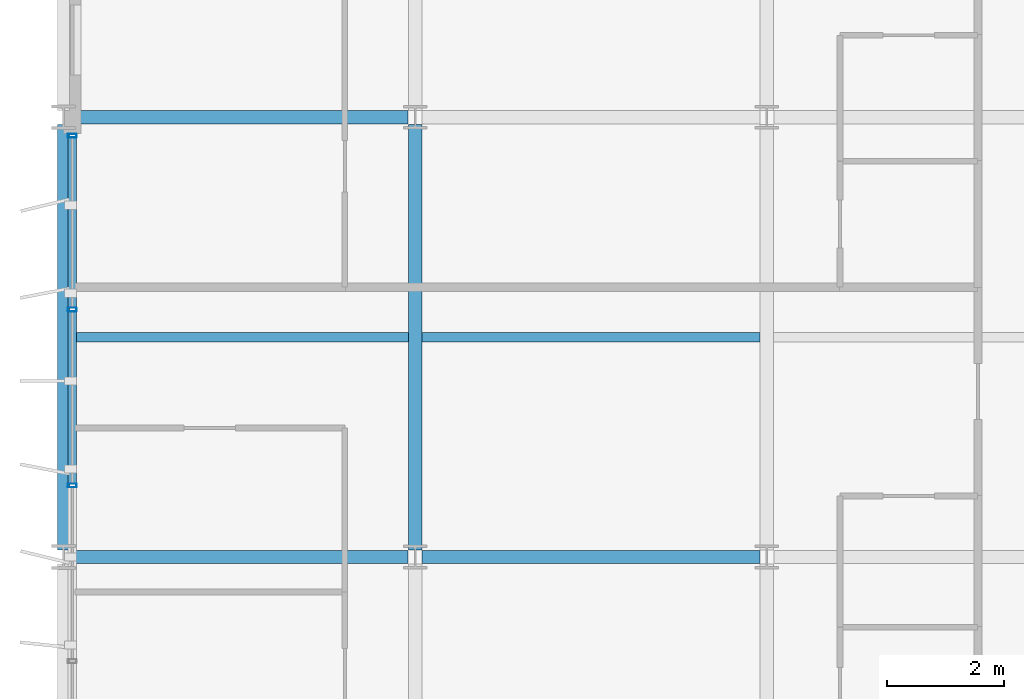
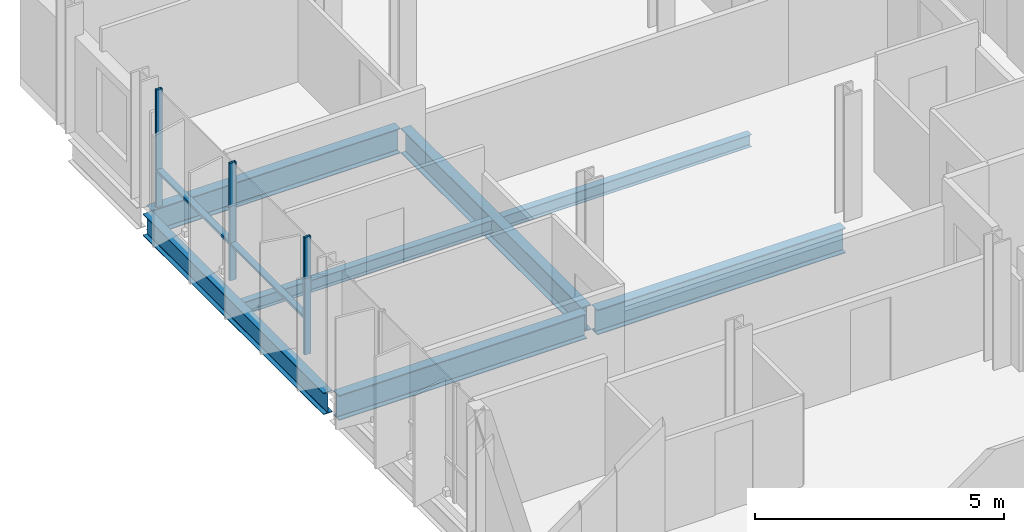
# One storey, part 7 of 38: 7 beams, 5 members, 1 element without a shape of its own.
"""IFC4 building model written with IfcOpenShell, lengths in metres."""

from ifc_helpers import new_model, si_unit, direction, frame, origin, origin_2d, place, context, subcontext, project, spatial, hollow_rectangle, i_section, extrude, material, layer, layer_set, material_profile, profile_set, type_object, element, aggregate, save


model = new_model("IFC4")

# Units and contexts
model_context = context("Model", 3, precision=1e-05, world=origin(), true_north=direction((0.0, 1.0)))
body_context = subcontext(model_context, "Body", "Model", "MODEL_VIEW")
ifc_project = project(units=[si_unit("LENGTHUNIT", "METRE"), si_unit("AREAUNIT", "SQUARE_METRE"), si_unit("VOLUMEUNIT", "CUBIC_METRE"), si_unit("PLANEANGLEUNIT", "RADIAN"), si_unit("MASSUNIT", "GRAM", prefix="KILO")], contexts=[model_context])

# Site, building, storey
site_placement = place(None, origin())
site = spatial("IfcSite", under=ifc_project, at=site_placement, CompositionType="ELEMENT")
building_placement = place(site_placement, origin())
building = spatial("IfcBuilding", under=site, at=building_placement, Name="Brevholm Reach", CompositionType="ELEMENT")
storey_placement = place(building_placement, frame((0.0, 0.0, 166.60009765625)))
storey = spatial("IfcBuildingStorey", under=building, at=storey_placement, Name="L50", CompositionType="ELEMENT", Elevation=166.60009765625)

# Beams
ifc_material_1 = material(Name="Structural Steel S355J2", Category="steel")
ifc_material_profile_1 = material_profile(ifc_material_1, i_section(OverallWidth=0.1650390625, OverallDepth=0.303466796875, WebThickness=0.006103515625, FlangeThickness=0.01025390625, FilletRadius=0.0087890625, at=origin_2d()), Name="UKB 305x165x40")
ifc_profile_set_1 = profile_set([ifc_material_profile_1], Name="Structural Steel S355J2")
beam_type_1 = type_object("IfcBeamType", Name="BM-B305", PredefinedType="BEAM", material=ifc_profile_set_1)
beam_1_placement = place(storey_placement, frame((0.104736328125, 19.75, -0.371826171875), z_axis=(1.0, 0.0, 0.0), x_axis=(0.0, 1.0, 0.0)))
element("IfcBeam", 1, at=beam_1_placement, inside=storey, type_object=beam_type_1, Name="L50 Composite Secondary Floor Beam", PredefinedType="BEAM", context=body_context, shape_type="SweptSolid", body=[
    extrude(i_section(OverallWidth=0.1650390625, OverallDepth=0.303466796875, WebThickness=0.006103515625, FlangeThickness=0.01025390625, FilletRadius=0.0087890625, at=origin_2d()), origin(), (0.0, 0.0, 1.0), 5.78076171875),
])
beam_2_placement = place(storey_placement, frame((6.114501953125, 19.75, -0.371826171875), z_axis=(1.0, 0.0, 0.0), x_axis=(0.0, 1.0, 0.0)))
element("IfcBeam", 2, at=beam_2_placement, inside=storey, type_object=beam_type_1, Name="L50 Composite Secondary Floor Beam", PredefinedType="BEAM", context=body_context, shape_type="SweptSolid", body=[
    extrude(i_section(OverallWidth=0.1650390625, OverallDepth=0.303466796875, WebThickness=0.006103515625, FlangeThickness=0.01025390625, FilletRadius=0.0087890625, at=origin_2d()), origin(), (0.0, 0.0, 1.0), 5.77099609375),
])
ifc_material_2 = material(Name="Structural Steel S355J2", Category="steel")
ifc_material_profile_2 = material_profile(ifc_material_2, i_section(OverallWidth=0.209228515625, OverallDepth=0.533203125, WebThickness=0.010009765625, FlangeThickness=0.015625, FilletRadius=0.0126953125, at=origin_2d()), Name="UKB 533x210x92")
ifc_profile_set_2 = profile_set([ifc_material_profile_2], Name="Structural Steel S355J2")
beam_type_2 = type_object("IfcBeamType", Name="BM-SP533", PredefinedType="SPANDREL", material=ifc_profile_set_2)
beam_3_placement = place(storey_placement, frame((0.0, 16.1201171875, -0.486572265625), z_axis=(0.0, 1.0, 0.0), x_axis=(-1.0, 0.0, 0.0)))
element("IfcBeam", 3, at=beam_3_placement, inside=storey, type_object=beam_type_2, Name="L50 SP-02 Framing Beam", PredefinedType="SPANDREL", context=body_context, shape_type="SweptSolid", body=[
    extrude(i_section(OverallWidth=0.209228515625, OverallDepth=0.533203125, WebThickness=0.010009765625, FlangeThickness=0.015625, FilletRadius=0.0126953125, at=origin_2d()), origin(), (0.0, 0.0, 1.0), 7.259765625),
])
ifc_material_3 = material(Name="Structural Steel S355J2", Category="steel")
ifc_material_profile_3 = material_profile(ifc_material_3, i_section(OverallWidth=0.22900390625, OverallDepth=0.6123046875, WebThickness=0.011962890625, FlangeThickness=0.01953125, FilletRadius=0.0126953125, at=origin_2d()), Name="UKB 610x229x125")
ifc_profile_set_3 = profile_set([ifc_material_profile_3], Name="Structural Steel S355J2")
beam_type_3 = type_object("IfcBeamType", Name="BM-SP610", PredefinedType="SPANDREL", material=ifc_profile_set_3)
for number, where, z_axis, x_axis, name in (
    (4, (0.1201171875, 16.0, -0.526123046875), (1.0, 0.0, 0.0), (0.0, 1.0, 0.0), "L50 SP-01 Framing Beam"),
    (5, (6.1201171875, 16.0, -0.526123046875), (1.0, 0.0, 0.0), (0.0, 1.0, 0.0), "L50 SP-01 Framing Beam"),
    (6, (0.1201171875, 23.5, -0.526123046875), (1.0, 0.0, 0.0), (0.0, 1.0, 0.0), "L50 SP-01 Framing Beam"),
):
    element("IfcBeam", number, at=place(storey_placement, frame(where, z_axis=z_axis, x_axis=x_axis)), inside=storey, type_object=beam_type_3, Name=name, PredefinedType="SPANDREL", context=body_context, shape_type="SweptSolid", body=[
        extrude(i_section(OverallWidth=0.22900390625, OverallDepth=0.6123046875, WebThickness=0.011962890625, FlangeThickness=0.01953125, FilletRadius=0.0126953125, at=origin_2d()), origin(), (0.0, 0.0, 1.0), 5.759765625),
    ])
beam_4_placement = place(storey_placement, frame((6.0, 16.1201171875, -0.526123046875), z_axis=(0.0, 1.0, 0.0), x_axis=(-1.0, 0.0, 0.0)))
element("IfcBeam", 7, at=beam_4_placement, inside=storey, type_object=beam_type_3, Name="L50 SP-01 Framing Beam", PredefinedType="SPANDREL", context=body_context, shape_type="SweptSolid", body=[
    extrude(i_section(OverallWidth=0.22900390625, OverallDepth=0.6123046875, WebThickness=0.011962890625, FlangeThickness=0.01953125, FilletRadius=0.0126953125, at=origin_2d()), origin(), (0.0, 0.0, 1.0), 7.259765625),
])

# Curtain wall, members
ifc_material_4 = material(Name="Dark Anodised Aluminium 6063-T6 and Solar-Control Glass", Category="aluminium")
ifc_layer = layer(ifc_material_4, 0.14990234375)
ifc_layer_set = layer_set([ifc_layer], Name="Dark Anodised Aluminium 6063-T6 and Solar-Control Glass")
curtain_wall_type = type_object("IfcCurtainWallType", Name="CW-01", PredefinedType="NOTDEFINED", material=ifc_layer_set)
curtain_wall_placement = place(storey_placement, origin())
curtain_wall = element("IfcCurtainWall", 8, at=curtain_wall_placement, inside=storey, type_object=curtain_wall_type, Name="L50 Curtain Wall CW-01", PredefinedType="NOTDEFINED")
ifc_material_5 = material(Name="Dark Anodised Aluminium 6063-T6", Category="aluminium")
ifc_material_profile_4 = material_profile(ifc_material_5, hollow_rectangle(XDim=0.06494140625, YDim=0.14990234375, WallThickness=0.0048828125, InnerFilletRadius=0.0048828125, OuterFilletRadius=0.010009765625, at=origin_2d()), Name="RHS 150x65x5")
ifc_profile_set_4 = profile_set([ifc_material_profile_4], Name="Dark Anodised Aluminium 6063-T6")
member_type_1 = type_object("IfcMemberType", Name="CWM-150", PredefinedType="MULLION", material=ifc_profile_set_4)
member_1_placement = place(storey_placement, frame((0.14990234375, 23.1875, 0.0), z_axis=(0.0, 0.0, 1.0), x_axis=(0.0, -1.0, 0.0)))
member_1 = element("IfcMember", 9, at=member_1_placement, type_object=member_type_1, Name="CM-150 Mullion 1", PredefinedType="MULLION", context=body_context, shape_type="SweptSolid", body=[
    extrude(hollow_rectangle(XDim=0.06494140625, YDim=0.14990234375, WallThickness=0.0048828125, InnerFilletRadius=0.0048828125, OuterFilletRadius=0.010009765625, at=origin_2d()), origin(), (0.0, 0.0, 1.0), 2.8798828125),
])
member_2_placement = place(storey_placement, frame((0.14990234375, 20.219970703125, 0.0), z_axis=(0.0, 0.0, 1.0), x_axis=(0.0, -1.0, 0.0)))
member_2 = element("IfcMember", 10, at=member_2_placement, type_object=member_type_1, Name="CM-150 Mullion 2", PredefinedType="MULLION", context=body_context, shape_type="SweptSolid", body=[
    extrude(hollow_rectangle(XDim=0.06494140625, YDim=0.14990234375, WallThickness=0.0048828125, InnerFilletRadius=0.0048828125, OuterFilletRadius=0.010009765625, at=origin_2d()), origin(), (0.0, 0.0, 1.0), 2.8798828125),
])
member_3_placement = place(storey_placement, frame((0.14990234375, 17.219970703125, 0.0), z_axis=(0.0, 0.0, 1.0), x_axis=(0.0, -1.0, 0.0)))
member_3 = element("IfcMember", 11, at=member_3_placement, type_object=member_type_1, Name="CM-150 Mullion 3", PredefinedType="MULLION", context=body_context, shape_type="SweptSolid", body=[
    extrude(hollow_rectangle(XDim=0.06494140625, YDim=0.14990234375, WallThickness=0.0048828125, InnerFilletRadius=0.0048828125, OuterFilletRadius=0.010009765625, at=origin_2d()), origin(), (0.0, 0.0, 1.0), 2.8798828125),
])
ifc_material_6 = material(Name="Dark Anodised Aluminium 6063-T6", Category="aluminium")
ifc_material_profile_5 = material_profile(ifc_material_6, hollow_rectangle(XDim=0.06494140625, YDim=0.14990234375, WallThickness=0.0048828125, InnerFilletRadius=0.0048828125, OuterFilletRadius=0.010009765625, at=origin_2d()), Name="RHS 150x65x5")
ifc_profile_set_5 = profile_set([ifc_material_profile_5], Name="Dark Anodised Aluminium 6063-T6")
member_type_2 = type_object("IfcMemberType", Name="CWT-150", PredefinedType="NOTDEFINED", material=ifc_profile_set_5)
member_4_placement = place(storey_placement, frame((0.14990234375, 23.155029296875, 0.89990234375), z_axis=(0.0, -1.0, 0.0), x_axis=(0.0, 0.0, 1.0)))
member_4 = element("IfcMember", 12, at=member_4_placement, type_object=member_type_2, Name="CT-150 Transom 1.1", ObjectType="TRANSOM", PredefinedType="USERDEFINED", context=body_context, shape_type="SweptSolid", body=[
    extrude(hollow_rectangle(XDim=0.06494140625, YDim=0.14990234375, WallThickness=0.0048828125, InnerFilletRadius=0.0048828125, OuterFilletRadius=0.010009765625, at=origin_2d()), origin(), (0.0, 0.0, 1.0), 2.902587890625),
])
member_5_placement = place(storey_placement, frame((0.14990234375, 20.1875, 0.89990234375), z_axis=(0.0, -1.0, 0.0), x_axis=(0.0, 0.0, 1.0)))
member_5 = element("IfcMember", 13, at=member_5_placement, type_object=member_type_2, Name="CT-150 Transom 2.1", ObjectType="TRANSOM", PredefinedType="USERDEFINED", context=body_context, shape_type="SweptSolid", body=[
    extrude(hollow_rectangle(XDim=0.06494140625, YDim=0.14990234375, WallThickness=0.0048828125, InnerFilletRadius=0.0048828125, OuterFilletRadius=0.010009765625, at=origin_2d()), origin(), (0.0, 0.0, 1.0), 2.93505859375),
])
aggregate(curtain_wall, [member_1, member_2, member_3, member_4, member_5])

save(model, "model.ifc")
